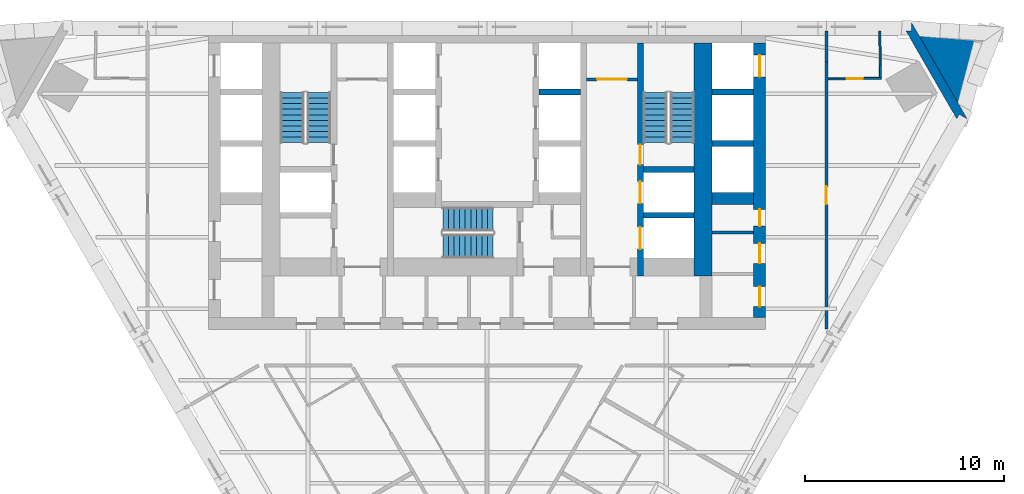
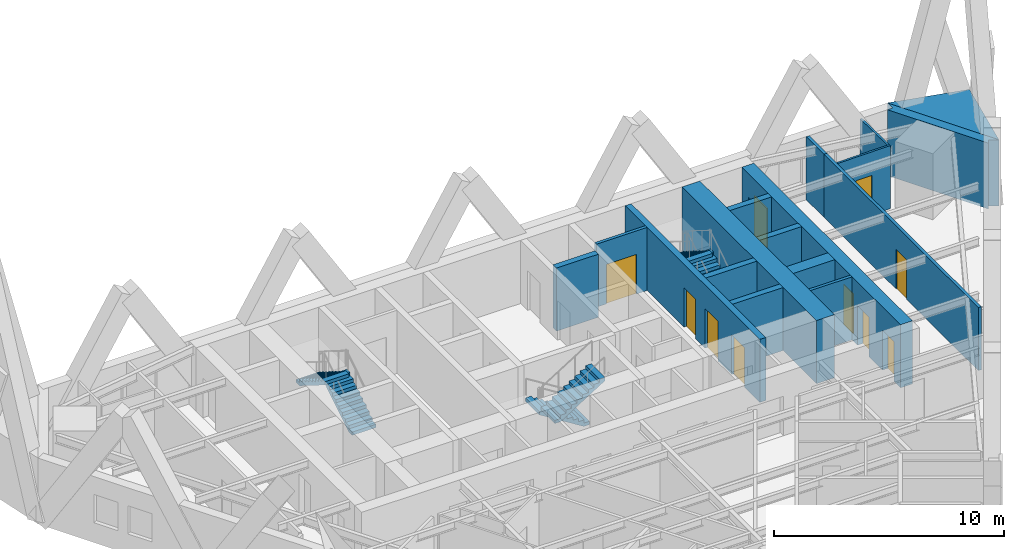
# One storey, part 7 of 9: 17 walls, 10 doors, 6 stair flights, 10 openings, 3 elements without a shape of their own.
"""IFC4 building model written with IfcOpenShell, lengths in metres."""

import ifcopenshell
import ifcopenshell.guid

model = None  # the IFC model being written
_history = None  # IfcOwnerHistory: only IFC2X3 demands one
_inside = {}  # id of a spatial element -> (the spatial element, [elements in it])
_under = {}  # id of a project, library or spatial element -> (it, [spatial elements below it])
_declared = {}  # id of a project -> (the project, [libraries it declares])
_typed = {}  # id of a type object -> (the type object, [elements of that type])
_made_of = {}  # id of a material, layer set ... -> (it, [elements and type objects made of it])


def new_model(schema):
    """Start an empty IFC model of exactly this schema.

    Asked for "IFC4X3", IfcOpenShell would pick the latest addendum, in which some entities
    have other attributes; the version numbers below select the first issue.
    IFC2X3 requires an IfcOwnerHistory on every rooted entity: one is made here for all.
    """
    global model, _history
    if schema == "IFC4X3":
        model = ifcopenshell.file(schema_version=(4, 3, 0, 0))
    else:
        model = ifcopenshell.file(schema=schema)
    _inside.clear()
    _under.clear()
    _declared.clear()
    _typed.clear()
    _made_of.clear()
    _history = None
    if model.schema == "IFC2X3":
        org = make("IfcOrganization", Name="unknown")
        user = make(
            "IfcPersonAndOrganization",
            ThePerson=make("IfcPerson", FamilyName="unknown"),
            TheOrganization=org,
        )
        app = make(
            "IfcApplication",
            ApplicationDeveloper=org,
            Version="unknown",
            ApplicationFullName="unknown",
            ApplicationIdentifier="unknown",
        )
        _history = make(
            "IfcOwnerHistory",
            OwningUser=user,
            OwningApplication=app,
            ChangeAction="ADDED",
            CreationDate=0,
        )
    return model


def make(cls, **values):
    """One entity of the class cls with the attributes given. An attribute that is None is left unset."""
    return model.create_entity(
        cls, **{name: value for name, value in values.items() if value is not None}
    )


def rooted(cls, **values):
    """An entity with a GlobalId (a new one), such as an element, a storey or a relation."""
    return make(cls, GlobalId=ifcopenshell.guid.new(), OwnerHistory=_history, **values)


def si_unit(unit_type, name, prefix=None):
    """IfcSIUnit, for example si_unit("LENGTHUNIT", "METRE", prefix="MILLI")."""
    return make("IfcSIUnit", UnitType=unit_type, Prefix=prefix, Name=name)


def assignment(units):
    """IfcUnitAssignment: the units of a project."""
    return None if units is None else make("IfcUnitAssignment", Units=units)


def point(xyz):
    """IfcCartesianPoint."""
    return None if xyz is None else make("IfcCartesianPoint", Coordinates=xyz)


def direction(xyz):
    """IfcDirection."""
    return None if xyz is None else make("IfcDirection", DirectionRatios=xyz)


def frame(location, z_axis=None, x_axis=None):
    """IfcAxis2Placement3D, a coordinate frame: its origin and axes. An axis left out is left unset."""
    return make(
        "IfcAxis2Placement3D",
        Location=point(location),
        Axis=direction(z_axis),
        RefDirection=direction(x_axis),
    )


def frame_2d(location, x_axis=None):
    """IfcAxis2Placement2D, a coordinate frame in the plane: its origin and x axis."""
    return make(
        "IfcAxis2Placement2D", Location=point(location), RefDirection=direction(x_axis)
    )


def origin():
    """The frame at (0, 0, 0) with its axes left unset."""
    return frame((0.0, 0.0, 0.0))


def place(relative_to, where):
    """IfcLocalPlacement: puts the frame where relative to a parent placement (None: the world)."""
    return make(
        "IfcLocalPlacement", PlacementRelTo=relative_to, RelativePlacement=where
    )


def context(
    kind, dimensions, precision=None, world=None, true_north=None, identifier=None
):
    """IfcGeometricRepresentationContext, for example the 3D "Model" context."""
    return make(
        "IfcGeometricRepresentationContext",
        ContextIdentifier=identifier,
        ContextType=kind,
        CoordinateSpaceDimension=dimensions,
        Precision=precision,
        WorldCoordinateSystem=world,
        TrueNorth=true_north,
    )


def subcontext(parent, identifier, kind, view, scale=None):
    """IfcGeometricRepresentationSubContext, for example "Body" below "Model"."""
    return make(
        "IfcGeometricRepresentationSubContext",
        ContextIdentifier=identifier,
        ContextType=kind,
        ParentContext=parent,
        TargetScale=scale,
        TargetView=view,
    )


def project(units=None, contexts=None):
    """IfcProject with its units and contexts."""
    return rooted(
        "IfcProject",
        Name="project",
        RepresentationContexts=contexts,
        UnitsInContext=assignment(units),
    )


def spatial(cls, under=None, at=None, **own):
    """A site, building, storey or space (cls), placed at a placement, below another one or the project."""
    s = rooted(cls, ObjectPlacement=at, **own)
    if under is not None:
        _under.setdefault(under.id(), (under, []))[1].append(s)
    return s


def polyline(points):
    """IfcPolyline through the points."""
    return make("IfcPolyline", Points=[point(p) for p in points])


def profile(cls, at=None, kind="AREA", **sizes):
    """A parametric profile (cls). Its sizes go by their IFC names, for example OverallWidth=200.0."""
    return make(cls, ProfileType=kind, Position=at, **sizes)


def rectangle(**sizes):
    """IfcRectangleProfileDef."""
    return profile("IfcRectangleProfileDef", **sizes)


def outline(outer, holes=None, kind="AREA"):
    """IfcArbitraryClosedProfileDef: a profile drawn as a closed curve; with holes, ...WithVoids."""
    if holes is None:
        return make("IfcArbitraryClosedProfileDef", ProfileType=kind, OuterCurve=outer)
    return make(
        "IfcArbitraryProfileDefWithVoids",
        ProfileType=kind,
        OuterCurve=outer,
        InnerCurves=holes,
    )


def extrude(swept, where, along, depth):
    """IfcExtrudedAreaSolid: the profile swept, set in the frame where, extruded along a direction by depth."""
    return make(
        "IfcExtrudedAreaSolid",
        SweptArea=swept,
        Position=where,
        ExtrudedDirection=direction(along),
        Depth=depth,
    )


def shape(context_of_items, identifier, shape_type, items):
    """IfcShapeRepresentation: the items that make up one representation, for example the "Body"."""
    return make(
        "IfcShapeRepresentation",
        ContextOfItems=context_of_items,
        RepresentationIdentifier=identifier,
        RepresentationType=shape_type,
        Items=items,
    )


def material(Name=None, Category=None):
    """IfcMaterial."""
    return make("IfcMaterial", Name=Name, Category=Category)


def layer(
    of_material, thickness, ventilated=None, Name=None, Category=None, Priority=None
):
    """IfcMaterialLayer: one layer of a wall or slab, of a material (None: an air gap)."""
    return make(
        "IfcMaterialLayer",
        Material=of_material,
        LayerThickness=thickness,
        IsVentilated=ventilated,
        Name=Name,
        Category=Category,
        Priority=Priority,
    )


def layer_set(layers, Name=None):
    """IfcMaterialLayerSet."""
    return make("IfcMaterialLayerSet", MaterialLayers=layers, LayerSetName=Name)


def made_of(thing, what):
    """Note that an element or type object is made of a material, layer set ...; save() writes the relation."""
    if what is not None:
        _made_of.setdefault(what.id(), (what, []))[1].append(thing)
    return thing


def type_object(cls, material=None, **own):
    """A type object (cls), such as IfcWallType, which elements share."""
    return made_of(rooted(cls, **own), material)


def element(
    cls,
    number,
    at=None,
    inside=None,
    cuts=None,
    type_object=None,
    material=None,
    context=None,
    identifier="Body",
    shape_type=None,
    held_by="IfcProductDefinitionShape",
    body=None,
    shapes=None,
    **own,
):
    """One element of the class cls, such as IfcWall. Its Tag is "e" and its number.

    at: its placement. inside: the storey or other place that contains it. cuts: it is an
    opening in that element (IfcRelVoidsElement). A single representation is given by context,
    identifier, shape_type and body (its items); several are given by shapes. held_by: the class
    of the entity that holds the representations. save() writes the other relations.
    """
    e = rooted(cls, Tag="e%d" % number, ObjectPlacement=at, **own)
    if body is not None:
        shapes = [shape(context, identifier, shape_type, body)]
    if shapes is not None:
        e.Representation = make(held_by, Representations=shapes)
    if inside is not None:
        _inside.setdefault(inside.id(), (inside, []))[1].append(e)
    if cuts is not None:
        rooted(
            "IfcRelVoidsElement", RelatingBuildingElement=cuts, RelatedOpeningElement=e
        )
    if type_object is not None:
        _typed.setdefault(type_object.id(), (type_object, []))[1].append(e)
    return made_of(e, material)


def fill(opening, filler):
    """IfcRelFillsElement: the door or window that sits in an opening."""
    return rooted(
        "IfcRelFillsElement",
        RelatingOpeningElement=opening,
        RelatedBuildingElement=filler,
    )


def aggregate(whole, parts):
    """IfcRelAggregates: a whole, such as a stair, and the parts it consists of."""
    return rooted("IfcRelAggregates", RelatingObject=whole, RelatedObjects=parts)


def save(model, path):
    """Write the relations noted so far, then the file.

    IfcRelAggregates (storeys below a building ...), IfcRelContainedInSpatialStructure (elements
    in a storey), IfcRelDefinesByType, IfcRelAssociatesMaterial and IfcRelDeclares: one each for
    every whole, place, type object, material and project.
    """
    for whole, parts in _under.values():
        aggregate(whole, parts)
    for where, things in _inside.values():
        rooted(
            "IfcRelContainedInSpatialStructure",
            RelatedElements=things,
            RelatingStructure=where,
        )
    for kind, things in _typed.values():
        rooted("IfcRelDefinesByType", RelatedObjects=things, RelatingType=kind)
    for what, things in _made_of.values():
        rooted("IfcRelAssociatesMaterial", RelatedObjects=things, RelatingMaterial=what)
    for by, libraries in _declared.values():
        rooted("IfcRelDeclares", RelatingContext=by, RelatedDefinitions=libraries)
    model.write(path)


model = new_model("IFC4")

# Units and contexts
model_context = context("Model", 3, precision=1e-05, world=origin(), true_north=direction((0.0, 1.0)))
body_context = subcontext(model_context, "Body", "Model", "MODEL_VIEW")
ifc_project = project(units=[si_unit("LENGTHUNIT", "METRE"), si_unit("AREAUNIT", "SQUARE_METRE"), si_unit("VOLUMEUNIT", "CUBIC_METRE"), si_unit("PLANEANGLEUNIT", "RADIAN"), si_unit("MASSUNIT", "GRAM", prefix="KILO")], contexts=[model_context])

# Site, building, storey
site_placement = place(None, origin())
site = spatial("IfcSite", under=ifc_project, at=site_placement, CompositionType="ELEMENT")
building_placement = place(site_placement, origin())
building = spatial("IfcBuilding", under=site, at=building_placement, Name="Aloe Facet Convention Tower", CompositionType="ELEMENT")
storey_placement = place(building_placement, frame((0.0, 0.0, 109.800048828125)))
storey = spatial("IfcBuildingStorey", under=building, at=storey_placement, Name="L27", CompositionType="ELEMENT", Elevation=109.800048828125)

# Wall, opening, door
ifc_material_1 = material(Name="Concrete blockwork partition", Category="masonry")
ifc_layer_1 = layer(ifc_material_1, 0.14990234375)
ifc_layer_set_1 = layer_set([ifc_layer_1], Name="CR-W-PART150")
wall_type_1 = type_object("IfcWallType", Name="CR-W-PART150", PredefinedType="PARTITIONING", material=ifc_layer_set_1)
wall_1_placement = place(storey_placement, frame((85.0, 132.125, 0.0), z_axis=(0.0, 0.0, 1.0), x_axis=(1.0, 0.0, 0.0)))
wall_1 = element("IfcWall", 1, at=wall_1_placement, inside=storey, type_object=wall_type_1, Name="Core partition L27-038", PredefinedType="PARTITIONING", context=body_context, shape_type="SweptSolid", body=[
    extrude(rectangle(XDim=2.550048828125, YDim=0.14990234375, at=frame_2d((1.27490234375, 0.0))), origin(), (0.0, 0.0, 1.0), 3.349853515625),
])
opening_1_placement = place(wall_1_placement, frame((0.52490234375, 0.0, 0.0)))
opening_1 = element("IfcOpeningElement", 2, at=opening_1_placement, cuts=wall_1, Name="Opening L27-CD21", PredefinedType="OPENING", context=body_context, shape_type="SweptSolid", body=[
    extrude(rectangle(XDim=1.5, YDim=2.10009765625, at=frame_2d((0.75, 1.050048828125))), frame((0.0, 0.0849609375, 0.0), z_axis=(0.0, -1.0, 0.0), x_axis=(1.0, 0.0, 0.0)), (0.0, 0.0, 1.0), 0.169921875),
])
ifc_material_2 = material(Name="Steel fire-resisting door set FD60", Category="steel")
door_type_1 = type_object("IfcDoorType", Name="CR-D-REFUGE-1500-FD60-DD", OperationType="DOUBLE_DOOR_DOUBLE_SWING", PredefinedType="DOOR", material=ifc_material_2)
door_1_placement = place(opening_1_placement, origin())
door_1 = element("IfcDoor", 3, at=door_1_placement, inside=storey, type_object=door_type_1, Name="Core door L27-CD21", OperationType="DOUBLE_DOOR_DOUBLE_SWING", OverallHeight=2.10009765625, OverallWidth=1.5, PredefinedType="DOOR", context=body_context, shape_type="SweptSolid", body=[
    extrude(rectangle(XDim=1.5, YDim=2.10009765625, at=frame_2d((0.75, 1.050048828125))), frame((0.0, 0.02490234375, 0.0), z_axis=(0.0, -1.0, 0.0), x_axis=(1.0, 0.0, 0.0)), (0.0, 0.0, 1.0), 0.050048828125),
])
fill(opening_1, door_1)

# Walls
wall_2_placement = place(storey_placement, frame((91.300048828125, 124.425048828125, 0.0), z_axis=(0.0, 0.0, 1.0), x_axis=(1.0, 0.0, 0.0)))
element("IfcWall", 4, at=wall_2_placement, inside=storey, type_object=wall_type_1, Name="Core partition L27-051", PredefinedType="PARTITIONING", context=body_context, shape_type="SweptSolid", body=[
    extrude(rectangle(XDim=2.099853515625, YDim=0.14990234375, at=frame_2d((1.0498046875, 0.0))), origin(), (0.0, 0.0, 1.0), 3.349853515625),
])
ifc_material_3 = material(Name="Concrete C70/85", Category="concrete")
ifc_layer_2 = layer(ifc_material_3, 0.300048828125)
ifc_layer_set_2 = layer_set([ifc_layer_2], Name="CR-W-RC300-C7085")
wall_type_2 = type_object("IfcWallType", Name="CR-W-RC300-C7085", PredefinedType="SOLIDWALL", material=ifc_layer_set_2)
wall_3_placement = place(storey_placement, frame((82.60009765625, 131.5, 0.0), z_axis=(0.0, 0.0, 1.0), x_axis=(1.0, 0.0, 0.0)))
element("IfcWall", 5, at=wall_3_placement, inside=storey, type_object=wall_type_2, Name="Core wall L27-031", PredefinedType="SOLIDWALL", context=body_context, shape_type="SweptSolid", body=[
    extrude(rectangle(XDim=2.099853515625, YDim=0.300048828125, at=frame_2d((1.0498046875, 0.0))), origin(), (0.0, 0.0, 1.0), 3.349853515625),
])

# Wall, openings, doors
wall_4_placement = place(storey_placement, frame((87.699951171875, 133.949951171875, 0.0), z_axis=(0.0, 0.0, 1.0), x_axis=(0.0, -1.0, 0.0)))
wall_4 = element("IfcWall", 6, at=wall_4_placement, inside=storey, type_object=wall_type_2, Name="Core wall L27-042", PredefinedType="SOLIDWALL", context=body_context, shape_type="SweptSolid", body=[
    extrude(rectangle(XDim=11.699951171875, YDim=0.300048828125, at=frame_2d((5.85009765625, 0.0))), origin(), (0.0, 0.0, 1.0), 3.349853515625),
])
opening_2_placement = place(wall_4_placement, frame((6.949951171875, 0.0, 0.0)))
opening_2 = element("IfcOpeningElement", 7, at=opening_2_placement, cuts=wall_4, Name="Opening LD-FF2-L27", PredefinedType="OPENING", context=body_context, shape_type="SweptSolid", body=[
    extrude(rectangle(XDim=1.10009765625, YDim=2.10009765625, at=frame_2d((0.550048828125, 1.050048828125))), frame((0.0, 0.16015625, 0.0), z_axis=(0.0, -1.0, 0.0), x_axis=(1.0, 0.0, 0.0)), (0.0, 0.0, 1.0), 0.320068359375),
])
opening_3_placement = place(wall_4_placement, frame((5.10009765625, 0.0, 0.0)))
opening_3 = element("IfcOpeningElement", 8, at=opening_3_placement, cuts=wall_4, Name="Opening L27-CD31", PredefinedType="OPENING", context=body_context, shape_type="SweptSolid", body=[
    extrude(rectangle(XDim=1.0, YDim=2.10009765625, at=frame_2d((0.5, 1.050048828125))), frame((0.0, 0.16015625, 0.0), z_axis=(0.0, -1.0, 0.0), x_axis=(1.0, 0.0, 0.0)), (0.0, 0.0, 1.0), 0.320068359375),
])
opening_4_placement = place(wall_4_placement, frame((9.25, 0.0, 0.0)))
opening_4 = element("IfcOpeningElement", 9, at=opening_4_placement, cuts=wall_4, Name="Opening LD-SV1-L27", PredefinedType="OPENING", context=body_context, shape_type="SweptSolid", body=[
    extrude(rectangle(XDim=1.10009765625, YDim=2.10009765625, at=frame_2d((0.550048828125, 1.050048828125))), frame((0.0, 0.16015625, 0.0), z_axis=(0.0, -1.0, 0.0), x_axis=(1.0, 0.0, 0.0)), (0.0, 0.0, 1.0), 0.320068359375),
])
ifc_material_4 = material(Name="Steel fire-resisting door set FD120", Category="steel")
door_type_2 = type_object("IfcDoorType", Name="CR-D-STAIR-1000-FD120-SLEFT", OperationType="SINGLE_SWING_LEFT", PredefinedType="DOOR", material=ifc_material_4)
door_2_placement = place(opening_3_placement, origin())
door_2 = element("IfcDoor", 10, at=door_2_placement, inside=storey, type_object=door_type_2, Name="Core door L27-CD31", OperationType="SINGLE_SWING_LEFT", OverallHeight=2.10009765625, OverallWidth=1.0, PredefinedType="DOOR", context=body_context, shape_type="SweptSolid", body=[
    extrude(rectangle(XDim=1.0, YDim=2.10009765625, at=frame_2d((0.5, 1.050048828125))), frame((0.0, 0.02490234375, 0.0), z_axis=(0.0, -1.0, 0.0), x_axis=(1.0, 0.0, 0.0)), (0.0, 0.0, 1.0), 0.050048828125),
])
fill(opening_3, door_2)
ifc_material_5 = material(Name="Stainless steel sliding landing door", Category="steel")
door_type_3 = type_object("IfcDoorType", Name="CR-LD-1100-FD120-_LEFT", OperationType="SLIDING_TO_LEFT", PredefinedType="DOOR", material=ifc_material_5)
door_3_placement = place(opening_2_placement, origin())
door_3 = element("IfcDoor", 11, at=door_3_placement, inside=storey, type_object=door_type_3, Name="Landing door FF2 L27", OperationType="SLIDING_TO_LEFT", OverallHeight=2.10009765625, OverallWidth=1.10009765625, PredefinedType="DOOR", context=body_context, shape_type="SweptSolid", body=[
    extrude(rectangle(XDim=1.10009765625, YDim=2.10009765625, at=frame_2d((0.550048828125, 1.050048828125))), frame((0.0, 0.02490234375, 0.0), z_axis=(0.0, -1.0, 0.0), x_axis=(1.0, 0.0, 0.0)), (0.0, 0.0, 1.0), 0.050048828125),
])
fill(opening_2, door_3)
door_4_placement = place(opening_4_placement, origin())
door_4 = element("IfcDoor", 12, at=door_4_placement, inside=storey, type_object=door_type_3, Name="Landing door SV1 L27", OperationType="SLIDING_TO_LEFT", OverallHeight=2.10009765625, OverallWidth=1.10009765625, PredefinedType="DOOR", context=body_context, shape_type="SweptSolid", body=[
    extrude(rectangle(XDim=1.10009765625, YDim=2.10009765625, at=frame_2d((0.550048828125, 1.050048828125))), frame((0.0, 0.02490234375, 0.0), z_axis=(0.0, -1.0, 0.0), x_axis=(1.0, 0.0, 0.0)), (0.0, 0.0, 1.0), 0.050048828125),
])
fill(opening_4, door_4)

# Walls
for number, where, z_axis, x_axis, name in (
    (13, (87.85009765625, 127.60009765625, 0.0), (0.0, 0.0, 1.0), (1.0, 0.0, 0.0), "Core wall L27-043"),
    (14, (87.85009765625, 125.300048828125, 0.0), (0.0, 0.0, 1.0), (1.0, 0.0, 0.0), "Core wall L27-044"),
):
    element("IfcWall", number, at=place(storey_placement, frame(where, z_axis=z_axis, x_axis=x_axis)), inside=storey, type_object=wall_type_2, Name=name, PredefinedType="SOLIDWALL", context=body_context, shape_type="SweptSolid", body=[
        extrude(rectangle(XDim=2.5498046875, YDim=0.300048828125, at=frame_2d((1.27490234375, 0.0))), origin(), (0.0, 0.0, 1.0), 3.349853515625),
    ])
for number, where, z_axis, x_axis, name in (
    (15, (91.300048828125, 131.5, 0.0), (0.0, 0.0, 1.0), (1.0, 0.0, 0.0), "Core wall L27-048"),
    (16, (91.300048828125, 128.89990234375, 0.0), (0.0, 0.0, 1.0), (1.0, 0.0, 0.0), "Core wall L27-049"),
):
    element("IfcWall", number, at=place(storey_placement, frame(where, z_axis=z_axis, x_axis=x_axis)), inside=storey, type_object=wall_type_2, Name=name, PredefinedType="SOLIDWALL", context=body_context, shape_type="SweptSolid", body=[
        extrude(rectangle(XDim=2.099853515625, YDim=0.300048828125, at=frame_2d((1.0498046875, 0.0))), origin(), (0.0, 0.0, 1.0), 3.349853515625),
    ])
ifc_material_6 = material(Name="Concrete C70/85", Category="concrete")
ifc_layer_3 = layer(ifc_material_6, 0.60009765625)
ifc_layer_set_3 = layer_set([ifc_layer_3], Name="CR-W-RC600-C7085")
wall_type_3 = type_object("IfcWallType", Name="CR-W-RC600-C7085", PredefinedType="SOLIDWALL", material=ifc_layer_set_3)
wall_5_placement = place(storey_placement, frame((91.300048828125, 126.14990234375, 0.0), z_axis=(0.0, 0.0, 1.0), x_axis=(1.0, 0.0, 0.0)))
element("IfcWall", 17, at=wall_5_placement, inside=storey, type_object=wall_type_3, Name="Core wall L27-050", PredefinedType="SOLIDWALL", context=body_context, shape_type="SweptSolid", body=[
    extrude(rectangle(XDim=2.099853515625, YDim=0.60009765625, at=frame_2d((1.0498046875, 0.0))), origin(), (0.0, 0.0, 1.0), 3.349853515625),
])

# Wall, openings, doors
wall_6_placement = place(storey_placement, frame((93.699951171875, 133.949951171875, 0.0), z_axis=(0.0, 0.0, 1.0), x_axis=(0.0, -1.0, 0.0)))
wall_6 = element("IfcWall", 18, at=wall_6_placement, inside=storey, type_object=wall_type_3, Name="Core wall L27-053", PredefinedType="SOLIDWALL", context=body_context, shape_type="SweptSolid", body=[
    extrude(rectangle(XDim=13.800048828125, YDim=0.60009765625, at=frame_2d((6.89990234375, 0.0))), origin(), (0.0, 0.0, 1.0), 3.349853515625),
])
opening_5_placement = place(wall_6_placement, frame((0.60009765625, 0.0, 0.0)))
opening_5 = element("IfcOpeningElement", 19, at=opening_5_placement, cuts=wall_6, Name="Opening LD-A8-L27", PredefinedType="OPENING", context=body_context, shape_type="SweptSolid", body=[
    extrude(rectangle(XDim=1.10009765625, YDim=2.10009765625, at=frame_2d((0.550048828125, 1.050048828125))), frame((0.0, 0.31005859375, 0.0), z_axis=(0.0, -1.0, 0.0), x_axis=(1.0, 0.0, 0.0)), (0.0, 0.0, 1.0), 0.6201171875),
])
opening_6_placement = place(wall_6_placement, frame((10.064208984375, 0.0, 0.0)))
opening_6 = element("IfcOpeningElement", 20, at=opening_6_placement, cuts=wall_6, Name="Opening L27-CD09", PredefinedType="OPENING", context=body_context, shape_type="SweptSolid", body=[
    extrude(rectangle(XDim=1.0, YDim=2.10009765625, at=frame_2d((0.5, 1.050048828125))), frame((0.0, 0.31005859375, 0.0), z_axis=(0.0, -1.0, 0.0), x_axis=(1.0, 0.0, 0.0)), (0.0, 0.0, 1.0), 0.6201171875),
])
opening_7_placement = place(wall_6_placement, frame((8.35009765625, 0.0, 0.0)))
opening_7 = element("IfcOpeningElement", 21, at=opening_7_placement, cuts=wall_6, Name="Opening L27-CD10", PredefinedType="OPENING", context=body_context, shape_type="SweptSolid", body=[
    extrude(rectangle(XDim=0.85009765625, YDim=2.10009765625, at=frame_2d((0.425048828125, 1.050048828125))), frame((0.0, 0.31005859375, 0.0), z_axis=(0.0, -1.0, 0.0), x_axis=(1.0, 0.0, 0.0)), (0.0, 0.0, 1.0), 0.6201171875),
])
opening_8_placement = place(wall_6_placement, frame((12.2392578125, 0.0, 0.0)))
opening_8 = element("IfcOpeningElement", 22, at=opening_8_placement, cuts=wall_6, Name="Opening L27-CD11", PredefinedType="OPENING", context=body_context, shape_type="SweptSolid", body=[
    extrude(rectangle(XDim=1.0, YDim=2.10009765625, at=frame_2d((0.5, 1.050048828125))), frame((0.0, 0.31005859375, 0.0), z_axis=(0.0, -1.0, 0.0), x_axis=(1.0, 0.0, 0.0)), (0.0, 0.0, 1.0), 0.6201171875),
])
ifc_material_7 = material(Name="Steel fire-resisting door set FD60", Category="steel")
door_type_4 = type_object("IfcDoorType", Name="CR-D-ROOM-1000-FD60-SLEFT", OperationType="SINGLE_SWING_LEFT", PredefinedType="DOOR", material=ifc_material_7)
door_5_placement = place(opening_6_placement, origin())
door_5 = element("IfcDoor", 23, at=door_5_placement, inside=storey, type_object=door_type_4, Name="Core door L27-CD09", OperationType="SINGLE_SWING_LEFT", OverallHeight=2.10009765625, OverallWidth=1.0, PredefinedType="DOOR", context=body_context, shape_type="SweptSolid", body=[
    extrude(rectangle(XDim=1.0, YDim=2.10009765625, at=frame_2d((0.5, 1.050048828125))), frame((0.0, 0.02490234375, 0.0), z_axis=(0.0, -1.0, 0.0), x_axis=(1.0, 0.0, 0.0)), (0.0, 0.0, 1.0), 0.050048828125),
])
fill(opening_6, door_5)
door_6_placement = place(opening_8_placement, origin())
door_6 = element("IfcDoor", 24, at=door_6_placement, inside=storey, type_object=door_type_4, Name="Core door L27-CD11", OperationType="SINGLE_SWING_LEFT", OverallHeight=2.10009765625, OverallWidth=1.0, PredefinedType="DOOR", context=body_context, shape_type="SweptSolid", body=[
    extrude(rectangle(XDim=1.0, YDim=2.10009765625, at=frame_2d((0.5, 1.050048828125))), frame((0.0, 0.02490234375, 0.0), z_axis=(0.0, -1.0, 0.0), x_axis=(1.0, 0.0, 0.0)), (0.0, 0.0, 1.0), 0.050048828125),
])
fill(opening_8, door_6)
ifc_material_8 = material(Name="Steel fire-resisting door set FD60", Category="steel")
door_type_5 = type_object("IfcDoorType", Name="CR-D-ROOM-850-FD60-SLEFT", OperationType="SINGLE_SWING_LEFT", PredefinedType="DOOR", material=ifc_material_8)
door_7_placement = place(opening_7_placement, origin())
door_7 = element("IfcDoor", 25, at=door_7_placement, inside=storey, type_object=door_type_5, Name="Core door L27-CD10", OperationType="SINGLE_SWING_LEFT", OverallHeight=2.10009765625, OverallWidth=0.85009765625, PredefinedType="DOOR", context=body_context, shape_type="SweptSolid", body=[
    extrude(rectangle(XDim=0.85009765625, YDim=2.10009765625, at=frame_2d((0.425048828125, 1.050048828125))), frame((0.0, 0.02490234375, 0.0), z_axis=(0.0, -1.0, 0.0), x_axis=(1.0, 0.0, 0.0)), (0.0, 0.0, 1.0), 0.050048828125),
])
fill(opening_7, door_7)
ifc_material_9 = material(Name="Stainless steel sliding landing door", Category="steel")
door_type_6 = type_object("IfcDoorType", Name="CR-LD-1100-FD60-_LEFT", OperationType="SLIDING_TO_LEFT", PredefinedType="DOOR", material=ifc_material_9)
door_8_placement = place(opening_5_placement, origin())
door_8 = element("IfcDoor", 26, at=door_8_placement, inside=storey, type_object=door_type_6, Name="Landing door A8 L27", OperationType="SLIDING_TO_LEFT", OverallHeight=2.10009765625, OverallWidth=1.10009765625, PredefinedType="DOOR", context=body_context, shape_type="SweptSolid", body=[
    extrude(rectangle(XDim=1.10009765625, YDim=2.10009765625, at=frame_2d((0.550048828125, 1.050048828125))), frame((0.0, 0.02490234375, 0.0), z_axis=(0.0, -1.0, 0.0), x_axis=(1.0, 0.0, 0.0)), (0.0, 0.0, 1.0), 0.050048828125),
])
fill(opening_5, door_8)

# Walls
ifc_material_10 = material(Name="Concrete C70/85", Category="concrete")
ifc_layer_4 = layer(ifc_material_10, 0.89990234375)
ifc_layer_set_4 = layer_set([ifc_layer_4], Name="CR-W-RC900-C7085")
wall_type_4 = type_object("IfcWallType", Name="CR-W-RC900-C7085", PredefinedType="SOLIDWALL", material=ifc_layer_set_4)
wall_7_placement = place(storey_placement, frame((90.85009765625, 133.949951171875, 0.0), z_axis=(0.0, 0.0, 1.0), x_axis=(0.0, -1.0, 0.0)))
element("IfcWall", 27, at=wall_7_placement, inside=storey, type_object=wall_type_4, Name="Core wall L27-046", PredefinedType="SOLIDWALL", context=body_context, shape_type="SweptSolid", body=[
    extrude(rectangle(XDim=11.699951171875, YDim=0.89990234375, at=frame_2d((5.85009765625, 0.0))), origin(), (0.0, 0.0, 1.0), 3.349853515625),
])
ifc_material_11 = material(Name="Precast concrete C40/50", Category="concrete")
ifc_layer_5 = layer(ifc_material_11, 0.449951171875)
ifc_layer_set_5 = layer_set([ifc_layer_5], Name="EV-WALL-PIER")
wall_type_5 = type_object("IfcWallType", Name="EV-WALL-PIER", PredefinedType="SOLIDWALL", material=ifc_layer_set_5)
wall_8_placement = place(storey_placement, frame((0.0, 0.0, -0.150146484375)))
element("IfcWall", 28, at=wall_8_placement, inside=storey, type_object=wall_type_5, Name="EP-L27-C", PredefinedType="SOLIDWALL", context=body_context, shape_type="SweptSolid", body=[
    extrude(outline(polyline([(104.12158203125, 130.150146484375), (103.73193359375, 130.375244140625), (103.601806640625, 130.150146484375), (101.061767578125, 134.550048828125), (101.321533203125, 134.550048828125), (101.321533203125, 135.0), (104.12158203125, 130.150146484375)])), origin(), (0.0, 0.0, 1.0), 3.5),
])
ifc_material_12 = material(Name="Precast concrete C40/50", Category="concrete")
ifc_layer_6 = layer(ifc_material_12, 3.947998046875)
ifc_layer_set_6 = layer_set([ifc_layer_6], Name="EV-WALL-SPINE")
wall_type_6 = type_object("IfcWallType", Name="EV-WALL-SPINE", PredefinedType="SOLIDWALL", material=ifc_layer_set_6)
wall_9_placement = place(storey_placement, frame((0.0, 0.0, -0.150146484375)))
element("IfcWall", 29, at=wall_9_placement, inside=storey, type_object=wall_type_6, Name="SP-NE-L27", PredefinedType="SOLIDWALL", context=body_context, shape_type="SweptSolid", body=[
    extrude(outline(polyline([(104.12158203125, 130.150146484375), (104.92333984375, 134.11328125), (101.321533203125, 135.0), (104.12158203125, 130.150146484375)])), origin(), (0.0, 0.0, 1.0), 3.5),
])
ifc_material_13 = material(Name="Gypsum board partition on steel studs", Category="steel")
ifc_layer_7 = layer(ifc_material_13, 0.14990234375)
ifc_layer_set_7 = layer_set([ifc_layer_7], Name="IN-W-CORR")
wall_type_7 = type_object("IfcWallType", Name="IN-W-CORR", PredefinedType="PARTITIONING", material=ifc_layer_set_7)
wall_10_placement = place(storey_placement, frame((97.05712890625, 133.010986328125, 0.0), z_axis=(0.0, 0.0, 1.0), x_axis=(0.0, 1.0, 0.0)))
element("IfcWall", 30, at=wall_10_placement, inside=storey, type_object=wall_type_7, Name="Partition L27-W064", PredefinedType="PARTITIONING", context=body_context, shape_type="SweptSolid", body=[
    extrude(rectangle(XDim=1.5390625, YDim=0.14990234375, at=frame_2d((0.76953125, 0.0))), origin(), (0.0, 0.0, 1.0), 3.349853515625),
])

# Wall, opening, door
wall_11_placement = place(storey_placement, frame((97.05712890625, 119.586669921875, 0.0), z_axis=(0.0, 0.0, 1.0), x_axis=(0.0, 1.0, 0.0)))
wall_11 = element("IfcWall", 31, at=wall_11_placement, inside=storey, type_object=wall_type_7, Name="Partition L27-W065", PredefinedType="PARTITIONING", context=body_context, shape_type="SweptSolid", body=[
    extrude(rectangle(XDim=13.42431640625, YDim=0.14990234375, at=frame_2d((6.712158203125, 0.0))), origin(), (0.0, 0.0, 1.0), 3.349853515625),
])
opening_9_placement = place(wall_11_placement, frame((6.26220703125, 0.0, 0.0)))
opening_9 = element("IfcOpeningElement", 32, at=opening_9_placement, cuts=wall_11, Name="Opening L27-007", PredefinedType="OPENING", context=body_context, shape_type="SweptSolid", body=[
    extrude(rectangle(XDim=0.89990234375, YDim=2.10009765625, at=frame_2d((0.449951171875, 1.050048828125))), frame((0.0, 0.0849609375, 0.0), z_axis=(0.0, -1.0, 0.0), x_axis=(1.0, 0.0, 0.0)), (0.0, 0.0, 1.0), 0.169921875),
])
ifc_material_14 = material(Name="Hardwood flush door FD30S", Category="wood")
door_type_7 = type_object("IfcDoorType", Name="IN-D-GUEST", OperationType="SINGLE_SWING_LEFT", PredefinedType="DOOR", material=ifc_material_14)
door_9_placement = place(opening_9_placement, origin())
door_9 = element("IfcDoor", 33, at=door_9_placement, inside=storey, type_object=door_type_7, Name="Door L27-007", OperationType="SINGLE_SWING_LEFT", OverallHeight=2.10009765625, OverallWidth=0.89990234375, PredefinedType="DOOR", context=body_context, shape_type="SweptSolid", body=[
    extrude(rectangle(XDim=0.89990234375, YDim=2.10009765625, at=frame_2d((0.449951171875, 1.050048828125))), frame((0.0, 0.02490234375, 0.0), z_axis=(0.0, -1.0, 0.0), x_axis=(1.0, 0.0, 0.0)), (0.0, 0.0, 1.0), 0.050048828125),
])
fill(opening_9, door_9)

ifc_material_15 = material(Name="Gypsum board partition on steel studs", Category="steel")
ifc_layer_8 = layer(ifc_material_15, 0.10009765625)
ifc_layer_set_8 = layer_set([ifc_layer_8], Name="IN-W-PART")
wall_type_8 = type_object("IfcWallType", Name="IN-W-PART", PredefinedType="PARTITIONING", material=ifc_layer_set_8)
wall_12_placement = place(storey_placement, frame((97.142822265625, 132.14990234375, 0.0), z_axis=(0.0, 0.0, 1.0), x_axis=(0.999914830804, 0.013051097189, 0.0)))
wall_12 = element("IfcWall", 34, at=wall_12_placement, inside=storey, type_object=wall_type_8, Name="Partition L27-W060", PredefinedType="PARTITIONING", context=body_context, shape_type="SweptSolid", body=[
    extrude(rectangle(XDim=2.675048828125, YDim=0.10009765625, at=frame_2d((1.33740234375, 0.0))), origin(), (0.0, 0.0, 1.0), 3.349853515625),
])
opening_10_placement = place(wall_12_placement, frame((0.9375, 0.0, 0.0)))
opening_10 = element("IfcOpeningElement", 35, at=opening_10_placement, cuts=wall_12, Name="Opening L27-018", PredefinedType="OPENING", context=body_context, shape_type="SweptSolid", body=[
    extrude(rectangle(XDim=0.800048828125, YDim=2.10009765625, at=frame_2d((0.39990234375, 1.050048828125))), frame((0.0, 0.06005859375, 0.0), z_axis=(0.0, -1.0, 0.0), x_axis=(1.0, 0.0, 0.0)), (0.0, 0.0, 1.0), 0.1201171875),
])
ifc_material_16 = material(Name="Timber flush door", Category="wood")
door_type_8 = type_object("IfcDoorType", Name="IN-D-BATH", OperationType="SINGLE_SWING_LEFT", PredefinedType="DOOR", material=ifc_material_16)
door_10_placement = place(opening_10_placement, origin())
door_10 = element("IfcDoor", 36, at=door_10_placement, inside=storey, type_object=door_type_8, Name="Door L27-018", OperationType="SINGLE_SWING_LEFT", OverallHeight=2.10009765625, OverallWidth=0.800048828125, PredefinedType="DOOR", context=body_context, shape_type="SweptSolid", body=[
    extrude(rectangle(XDim=0.800048828125, YDim=2.10009765625, at=frame_2d((0.39990234375, 1.050048828125))), frame((0.0, 0.02490234375, 0.0), z_axis=(0.0, -1.0, 0.0), x_axis=(1.0, 0.0, 0.0)), (0.0, 0.0, 1.0), 0.050048828125),
])
fill(opening_10, door_10)

# Wall
wall_13_placement = place(storey_placement, frame((99.73681640625, 134.550048828125, 0.0), z_axis=(0.0, 0.0, 1.0), x_axis=(0.012965387027, -0.999915945837, 0.0)))
element("IfcWall", 37, at=wall_13_placement, inside=storey, type_object=wall_type_8, Name="Partition L27-W067", PredefinedType="PARTITIONING", context=body_context, shape_type="SweptSolid", body=[
    extrude(rectangle(XDim=2.316162109375, YDim=0.10009765625, at=frame_2d((1.158203125, 0.0))), origin(), (0.0, 0.0, 1.0), 3.349853515625),
])

# Stair, stair flights
ifc_material_17 = material(Name="Concrete C50/60", Category="concrete")
stair_type = type_object("IfcStairType", Name="CR-ST-20R", PredefinedType="HALF_TURN_STAIR", material=ifc_material_17)
stair_1_placement = place(storey_placement, origin())
stair_1 = element("IfcStair", 38, at=stair_1_placement, inside=storey, type_object=stair_type, Name="L27 Protected exit stair ST1", PredefinedType="HALF_TURN_STAIR")
ifc_material_18 = material(Name="Concrete C50/60", Category="concrete")
stair_flight_type = type_object("IfcStairFlightType", Name="CR-SFL-20R", PredefinedType="STRAIGHT", material=ifc_material_18)
stair_flight_1_placement = place(storey_placement, frame((71.550048828125, 128.949951171875, 0.0), z_axis=(0.0, 0.0, 1.0), x_axis=(0.0, 1.0, 0.0)))
stair_flight_1 = element("IfcStairFlight", 39, at=stair_flight_1_placement, type_object=stair_flight_type, Name="ST1 flight 1", NumberOfRisers=10, NumberOfTreads=9, PredefinedType="STRAIGHT", RiserHeight=0.175, TreadLength=0.28, context=body_context, shape_type="SweptSolid", body=[
    extrude(outline(polyline([(0.0, 0.0), (0.0, 0.175048828125), (0.280029296875, 0.175048828125), (0.280029296875, 0.35009765625), (0.56005859375, 0.35009765625), (0.56005859375, 0.52490234375), (0.840087890625, 0.52490234375), (0.840087890625, 0.699951171875), (1.1201171875, 0.699951171875), (1.1201171875, 0.875), (1.39990234375, 0.875), (1.39990234375, 1.050048828125), (1.679931640625, 1.050048828125), (1.679931640625, 1.22509765625), (1.9599609375, 1.22509765625), (1.9599609375, 1.39990234375), (2.239990234375, 1.39990234375), (2.239990234375, 1.574951171875), (2.52001953125, 1.574951171875), (2.52001953125, 1.75), (2.52001953125, 1.398193359375), (0.28271484375, 0.0), (0.0, 0.0)])), frame((0.0, 0.60009765625, 0.0), z_axis=(0.0, -1.0, 0.0), x_axis=(1.0, 0.0, 0.0)), (0.0, 0.0, 1.0), 1.199951171875),
])
stair_flight_2_placement = place(storey_placement, frame((70.199951171875, 131.469970703125, 1.75), z_axis=(0.0, 0.0, 1.0), x_axis=(0.0, -1.0, 0.0)))
stair_flight_2 = element("IfcStairFlight", 40, at=stair_flight_2_placement, type_object=stair_flight_type, Name="ST1 flight 2", NumberOfRisers=10, NumberOfTreads=9, PredefinedType="STRAIGHT", RiserHeight=0.175, TreadLength=0.28, context=body_context, shape_type="SweptSolid", body=[
    extrude(outline(polyline([(0.0, 0.0), (0.0, 0.175048828125), (0.280029296875, 0.175048828125), (0.280029296875, 0.35009765625), (0.56005859375, 0.35009765625), (0.56005859375, 0.52490234375), (0.840087890625, 0.52490234375), (0.840087890625, 0.699951171875), (1.1201171875, 0.699951171875), (1.1201171875, 0.875), (1.39990234375, 0.875), (1.39990234375, 1.050048828125), (1.679931640625, 1.050048828125), (1.679931640625, 1.22509765625), (1.9599609375, 1.22509765625), (1.9599609375, 1.39990234375), (2.239990234375, 1.39990234375), (2.239990234375, 1.574951171875), (2.52001953125, 1.574951171875), (2.52001953125, 1.75), (2.52001953125, 1.398193359375), (0.28271484375, 0.0), (0.0, 0.0)])), frame((0.0, 0.60009765625, 0.0), z_axis=(0.0, -1.0, 0.0), x_axis=(1.0, 0.0, 0.0)), (0.0, 0.0, 1.0), 1.199951171875),
])
aggregate(stair_1, [stair_flight_1, stair_flight_2])

stair_2_placement = place(storey_placement, origin())
stair_2 = element("IfcStair", 41, at=stair_2_placement, inside=storey, type_object=stair_type, Name="L27 Protected exit stair ST2", PredefinedType="HALF_TURN_STAIR")
stair_flight_3_placement = place(storey_placement, frame((89.800048828125, 128.949951171875, 0.0), z_axis=(0.0, 0.0, 1.0), x_axis=(0.0, 1.0, 0.0)))
stair_flight_3 = element("IfcStairFlight", 42, at=stair_flight_3_placement, type_object=stair_flight_type, Name="ST2 flight 1", NumberOfRisers=10, NumberOfTreads=9, PredefinedType="STRAIGHT", RiserHeight=0.175, TreadLength=0.28, context=body_context, shape_type="SweptSolid", body=[
    extrude(outline(polyline([(0.0, 0.0), (0.0, 0.175048828125), (0.280029296875, 0.175048828125), (0.280029296875, 0.35009765625), (0.56005859375, 0.35009765625), (0.56005859375, 0.52490234375), (0.840087890625, 0.52490234375), (0.840087890625, 0.699951171875), (1.1201171875, 0.699951171875), (1.1201171875, 0.875), (1.39990234375, 0.875), (1.39990234375, 1.050048828125), (1.679931640625, 1.050048828125), (1.679931640625, 1.22509765625), (1.9599609375, 1.22509765625), (1.9599609375, 1.39990234375), (2.239990234375, 1.39990234375), (2.239990234375, 1.574951171875), (2.52001953125, 1.574951171875), (2.52001953125, 1.75), (2.52001953125, 1.398193359375), (0.28271484375, 0.0), (0.0, 0.0)])), frame((0.0, 0.60009765625, 0.0), z_axis=(0.0, -1.0, 0.0), x_axis=(1.0, 0.0, 0.0)), (0.0, 0.0, 1.0), 1.199951171875),
])
stair_flight_4_placement = place(storey_placement, frame((88.449951171875, 131.469970703125, 1.75), z_axis=(0.0, 0.0, 1.0), x_axis=(0.0, -1.0, 0.0)))
stair_flight_4 = element("IfcStairFlight", 43, at=stair_flight_4_placement, type_object=stair_flight_type, Name="ST2 flight 2", NumberOfRisers=10, NumberOfTreads=9, PredefinedType="STRAIGHT", RiserHeight=0.175, TreadLength=0.28, context=body_context, shape_type="SweptSolid", body=[
    extrude(outline(polyline([(0.0, 0.0), (0.0, 0.175048828125), (0.280029296875, 0.175048828125), (0.280029296875, 0.35009765625), (0.56005859375, 0.35009765625), (0.56005859375, 0.52490234375), (0.840087890625, 0.52490234375), (0.840087890625, 0.699951171875), (1.1201171875, 0.699951171875), (1.1201171875, 0.875), (1.39990234375, 0.875), (1.39990234375, 1.050048828125), (1.679931640625, 1.050048828125), (1.679931640625, 1.22509765625), (1.9599609375, 1.22509765625), (1.9599609375, 1.39990234375), (2.239990234375, 1.39990234375), (2.239990234375, 1.574951171875), (2.52001953125, 1.574951171875), (2.52001953125, 1.75), (2.52001953125, 1.398193359375), (0.28271484375, 0.0), (0.0, 0.0)])), frame((0.0, 0.60009765625, 0.0), z_axis=(0.0, -1.0, 0.0), x_axis=(1.0, 0.0, 0.0)), (0.0, 0.0, 1.0), 1.199951171875),
])
aggregate(stair_2, [stair_flight_3, stair_flight_4])

stair_3_placement = place(storey_placement, origin())
stair_3 = element("IfcStair", 44, at=stair_3_placement, inside=storey, type_object=stair_type, Name="L27 Protected exit stair ST3", PredefinedType="HALF_TURN_STAIR")
stair_flight_5_placement = place(storey_placement, frame((80.300048828125, 125.10009765625, 0.0), z_axis=(0.0, 0.0, 1.0), x_axis=(-1.0, 0.0, 0.0)))
stair_flight_5 = element("IfcStairFlight", 45, at=stair_flight_5_placement, type_object=stair_flight_type, Name="ST3 flight 1", NumberOfRisers=10, NumberOfTreads=9, PredefinedType="STRAIGHT", RiserHeight=0.175, TreadLength=0.28, context=body_context, shape_type="SweptSolid", body=[
    extrude(outline(polyline([(0.0, 0.0), (0.0, 0.175048828125), (0.280029296875, 0.175048828125), (0.280029296875, 0.35009765625), (0.56005859375, 0.35009765625), (0.56005859375, 0.52490234375), (0.840087890625, 0.52490234375), (0.840087890625, 0.699951171875), (1.1201171875, 0.699951171875), (1.1201171875, 0.875), (1.39990234375, 0.875), (1.39990234375, 1.050048828125), (1.679931640625, 1.050048828125), (1.679931640625, 1.22509765625), (1.9599609375, 1.22509765625), (1.9599609375, 1.39990234375), (2.239990234375, 1.39990234375), (2.239990234375, 1.574951171875), (2.52001953125, 1.574951171875), (2.52001953125, 1.75), (2.52001953125, 1.398193359375), (0.28271484375, 0.0), (0.0, 0.0)])), frame((0.0, 0.60009765625, 0.0), z_axis=(0.0, -1.0, 0.0), x_axis=(1.0, 0.0, 0.0)), (0.0, 0.0, 1.0), 1.199951171875),
])
stair_flight_6_placement = place(storey_placement, frame((77.780029296875, 123.75, 1.75), z_axis=(0.0, 0.0, 1.0), x_axis=(1.0, 0.0, 0.0)))
stair_flight_6 = element("IfcStairFlight", 46, at=stair_flight_6_placement, type_object=stair_flight_type, Name="ST3 flight 2", NumberOfRisers=10, NumberOfTreads=9, PredefinedType="STRAIGHT", RiserHeight=0.175, TreadLength=0.28, context=body_context, shape_type="SweptSolid", body=[
    extrude(outline(polyline([(0.0, 0.0), (0.0, 0.175048828125), (0.280029296875, 0.175048828125), (0.280029296875, 0.35009765625), (0.56005859375, 0.35009765625), (0.56005859375, 0.52490234375), (0.840087890625, 0.52490234375), (0.840087890625, 0.699951171875), (1.1201171875, 0.699951171875), (1.1201171875, 0.875), (1.39990234375, 0.875), (1.39990234375, 1.050048828125), (1.679931640625, 1.050048828125), (1.679931640625, 1.22509765625), (1.9599609375, 1.22509765625), (1.9599609375, 1.39990234375), (2.239990234375, 1.39990234375), (2.239990234375, 1.574951171875), (2.52001953125, 1.574951171875), (2.52001953125, 1.75), (2.52001953125, 1.398193359375), (0.28271484375, 0.0), (0.0, 0.0)])), frame((0.0, 0.60009765625, 0.0), z_axis=(0.0, -1.0, 0.0), x_axis=(1.0, 0.0, 0.0)), (0.0, 0.0, 1.0), 1.199951171875),
])
aggregate(stair_3, [stair_flight_5, stair_flight_6])

save(model, "model.ifc")
